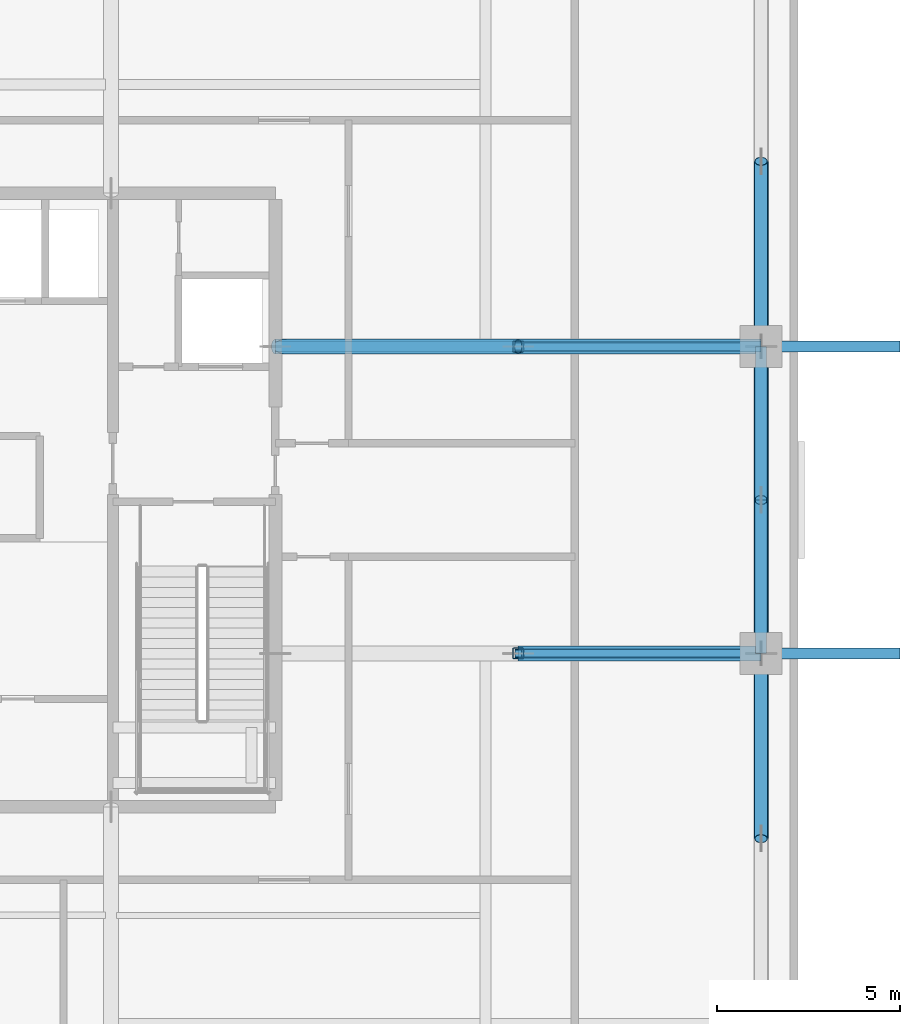
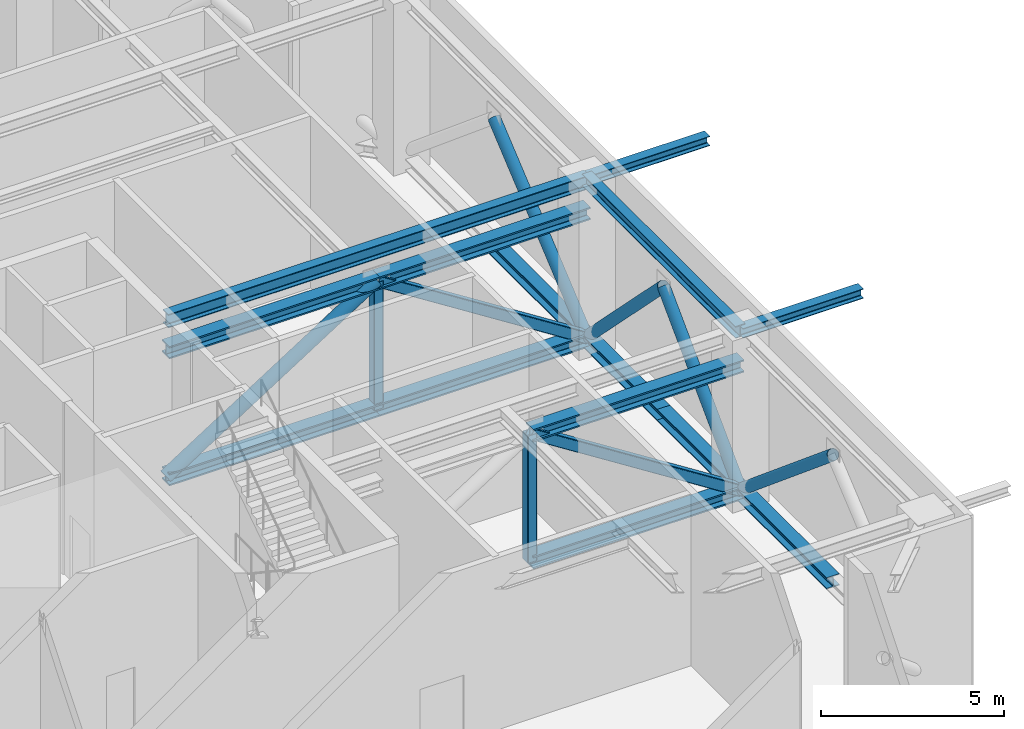
# One storey, part 4 of 22: 19 members, 4 beams.
"""IFC4 building model written with IfcOpenShell, lengths in metres."""

from ifc_helpers import new_model, si_unit, direction, frame, origin, origin_2d, place, context, subcontext, project, spatial, hollow_rectangle, hollow_circle, i_section, extrude, source, transform, mapped, material, material_profile, profile_set, type_object, element, save


model = new_model("IFC4")

# Units and contexts
model_context = context("Model", 3, precision=1e-05, world=origin(), true_north=direction((0.0, 1.0)))
body_context = subcontext(model_context, "Body", "Model", "MODEL_VIEW")
ifc_project = project(units=[si_unit("LENGTHUNIT", "METRE"), si_unit("AREAUNIT", "SQUARE_METRE"), si_unit("VOLUMEUNIT", "CUBIC_METRE"), si_unit("PLANEANGLEUNIT", "RADIAN"), si_unit("MASSUNIT", "GRAM", prefix="KILO")], contexts=[model_context])

# Site, building, storey
site_placement = place(None, origin())
site = spatial("IfcSite", under=ifc_project, at=site_placement, CompositionType="ELEMENT")
building_placement = place(site_placement, origin())
building = spatial("IfcBuilding", under=site, at=building_placement, Name="Serunith Strait Residences", CompositionType="ELEMENT")
storey_placement = place(building_placement, frame((0.0, 0.0, 287.449951171875)))
storey = spatial("IfcBuildingStorey", under=building, at=storey_placement, Name="L72", CompositionType="ELEMENT", Elevation=287.449951171875)

# Beams
ifc_material_1 = material(Name="Steel S355J2", Category="steel")
ifc_material_profile_1 = material_profile(ifc_material_1, i_section(OverallWidth=0.300048828125, OverallDepth=0.39990234375, WebThickness=0.013427734375, FlangeThickness=0.02392578125, FilletRadius=0.027099609375, at=origin_2d()), Name="HEB 400")
ifc_profile_set_1 = profile_set([ifc_material_profile_1], Name="Steel S355J2")
beam_type_1 = type_object("IfcBeamType", Name="BM-HEB400", PredefinedType="BEAM", material=ifc_profile_set_1)
shared_shape_1 = source(origin(), body_context, "Body", "SweptSolid", [
    extrude(i_section(OverallWidth=0.300048828125, OverallDepth=0.39990234375, WebThickness=0.013427734375, FlangeThickness=0.02392578125, FilletRadius=0.027099609375, at=origin_2d()), origin(), (0.0, 0.0, 1.0), 8.39990234375),
])
beam_1_placement = place(storey_placement, frame((54.699951171875, 21.0, 5.537109375), z_axis=(0.0, 1.0, 0.0), x_axis=(-1.0, 0.0, 0.0)))
element("IfcBeam", 1, at=beam_1_placement, inside=storey, type_object=beam_type_1, Name="L72 Perimeter Ring Beam 06", PredefinedType="BEAM", context=body_context, shape_type="MappedRepresentation", body=[
    mapped(shared_shape_1, transform((0.0, 0.0, 0.0), scale=1.0)),
])
ifc_material_profile_2 = material_profile(ifc_material_1, i_section(OverallWidth=0.300048828125, OverallDepth=0.320068359375, WebThickness=0.011474609375, FlangeThickness=0.0205078125, FilletRadius=0.027099609375, at=origin_2d()), Name="HEB 320")
ifc_profile_set_2 = profile_set([ifc_material_profile_2], Name="Steel S355J2")
beam_type_2 = type_object("IfcBeamType", Name="BM-HEB320", PredefinedType="BEAM", material=ifc_profile_set_2)
shared_shape_2 = source(origin(), body_context, "Body", "SweptSolid", [
    extrude(i_section(OverallWidth=0.300048828125, OverallDepth=0.320068359375, WebThickness=0.011474609375, FlangeThickness=0.0205078125, FilletRadius=0.027099609375, at=origin_2d()), origin(), (0.0, 0.0, 1.0), 3.800048828125),
])
for number, where, z_axis, x_axis, name in (
    (2, (54.699951171875, 21.0, 5.547119140625), (1.0, 0.0, 0.0), (0.0, 1.0, 0.0), "L73 Cantilevered Balcony Rib TC-E2"),
    (3, (54.699951171875, 29.39990234375, 5.547119140625), (1.0, 0.0, 0.0), (0.0, 1.0, 0.0), "L73 Cantilevered Balcony Rib TC-E3"),
):
    element("IfcBeam", number, at=place(storey_placement, frame(where, z_axis=z_axis, x_axis=x_axis)), inside=storey, type_object=beam_type_2, Name=name, PredefinedType="BEAM", context=body_context, shape_type="MappedRepresentation", body=[
        mapped(shared_shape_2, transform((0.0, 0.0, 0.0), scale=1.0)),
    ])
ifc_material_profile_3 = material_profile(ifc_material_1, i_section(OverallWidth=0.300048828125, OverallDepth=0.449951171875, WebThickness=0.013916015625, FlangeThickness=0.02587890625, FilletRadius=0.027099609375, at=origin_2d()), Name="HEB 450")
ifc_profile_set_3 = profile_set([ifc_material_profile_3], Name="Steel S355J2")
beam_type_3 = type_object("IfcBeamType", Name="BM-HEB450", PredefinedType="BEAM", material=ifc_profile_set_3)
shared_shape_3 = source(origin(), body_context, "Body", "SweptSolid", [
    extrude(i_section(OverallWidth=0.300048828125, OverallDepth=0.449951171875, WebThickness=0.013916015625, FlangeThickness=0.02587890625, FilletRadius=0.027099609375, at=origin_2d()), origin(), (0.0, 0.0, 1.0), 13.300048828125),
])
beam_2_placement = place(storey_placement, frame((41.39990234375, 29.39990234375, 5.511962890625), z_axis=(1.0, 0.0, 0.0), x_axis=(0.0, 1.0, 0.0)))
element("IfcBeam", 4, at=beam_2_placement, inside=storey, type_object=beam_type_3, Name="L72 Primary Floor Girder TC-E3", PredefinedType="BEAM", context=body_context, shape_type="MappedRepresentation", body=[
    mapped(shared_shape_3, transform((0.0, 0.0, 0.0), scale=1.0)),
])

# Members
ifc_material_2 = material(Name="Steel S460M", Category="steel")
ifc_material_profile_4 = material_profile(ifc_material_2, hollow_rectangle(XDim=0.300048828125, YDim=0.300048828125, WallThickness=0.012451171875, InnerFilletRadius=0.018798828125, OuterFilletRadius=0.03125, at=origin_2d()), Name="SHS 300x300x12.5")
ifc_profile_set_4 = profile_set([ifc_material_profile_4], Name="Steel S460M")
member_type_1 = type_object("IfcMemberType", Name="MBR-STRUT-SHS300", PredefinedType="STRUT", material=ifc_profile_set_4)
shared_shape_4 = source(origin(), body_context, "Body", "SweptSolid", [
    extrude(hollow_rectangle(XDim=0.300048828125, YDim=0.300048828125, WallThickness=0.012451171875, InnerFilletRadius=0.018798828125, OuterFilletRadius=0.03125, at=origin_2d()), origin(), (0.0, 0.0, 1.0), 4.239990234375),
])
for number, where, z_axis, x_axis, name in (
    (5, (48.050048828125, 21.0, 0.25), (0.0, 0.0, 1.0), (1.0, 0.0, 0.0), "L72 Outrigger Arm 5 Mid Post"),
    (6, (48.050048828125, 29.39990234375, 0.25), (0.0, 0.0, 1.0), (1.0, 0.0, 0.0), "L72 Outrigger Arm 6 Mid Post"),
):
    element("IfcMember", number, at=place(storey_placement, frame(where, z_axis=z_axis, x_axis=x_axis)), inside=storey, type_object=member_type_1, Name=name, PredefinedType="STRUT", context=body_context, shape_type="MappedRepresentation", body=[
        mapped(shared_shape_4, transform((0.0, 0.0, 0.0), scale=1.0)),
    ])
ifc_material_profile_5 = material_profile(ifc_material_2, i_section(OverallWidth=0.406005859375, OverallDepth=0.416015625, WebThickness=0.02978515625, FlangeThickness=0.048095703125, FilletRadius=0.014892578125, at=origin_2d()), Name="HD 400x382")
ifc_profile_set_5 = profile_set([ifc_material_profile_5], Name="Steel S460M")
member_type_2 = type_object("IfcMemberType", Name="MBR-CHORD-HD382", PredefinedType="CHORD", material=ifc_profile_set_5)
shared_shape_5 = source(origin(), body_context, "Body", "SweptSolid", [
    extrude(i_section(OverallWidth=0.406005859375, OverallDepth=0.416015625, WebThickness=0.02978515625, FlangeThickness=0.048095703125, FilletRadius=0.014892578125, at=origin_2d()), origin(), (0.0, 0.0, 1.0), 6.650146484375),
])
for number, where, z_axis, x_axis, name in (
    (7, (41.39990234375, 29.39990234375, 0.25), (1.0, 0.0, 0.0), (0.0, 1.0, 0.0), "L72 Outrigger Arm 6 Bottom Chord 1"),
    (8, (41.39990234375, 29.39990234375, 4.489990234375), (1.0, 0.0, 0.0), (0.0, 1.0, 0.0), "L72 Outrigger Arm 6 Top Chord 1"),
):
    element("IfcMember", number, at=place(storey_placement, frame(where, z_axis=z_axis, x_axis=x_axis)), inside=storey, type_object=member_type_2, Name=name, PredefinedType="CHORD", context=body_context, shape_type="MappedRepresentation", body=[
        mapped(shared_shape_5, transform((0.0, 0.0, 0.0), scale=1.0)),
    ])
shared_shape_6 = source(origin(), body_context, "Body", "SweptSolid", [
    extrude(i_section(OverallWidth=0.406005859375, OverallDepth=0.416015625, WebThickness=0.02978515625, FlangeThickness=0.048095703125, FilletRadius=0.014892578125, at=origin_2d()), origin(), (0.0, 0.0, 1.0), 6.64990234375),
])
for number, where, z_axis, x_axis, name in (
    (9, (48.050048828125, 21.0, 0.25), (1.0, 0.0, 0.0), (0.0, 1.0, 0.0), "L72 Outrigger Arm 5 Bottom Chord 2"),
    (10, (48.050048828125, 21.0, 4.489990234375), (1.0, 0.0, 0.0), (0.0, 1.0, 0.0), "L72 Outrigger Arm 5 Top Chord 2"),
    (11, (48.050048828125, 29.39990234375, 0.25), (1.0, 0.0, 0.0), (0.0, 1.0, 0.0), "L72 Outrigger Arm 6 Bottom Chord 2"),
    (12, (48.050048828125, 29.39990234375, 4.489990234375), (1.0, 0.0, 0.0), (0.0, 1.0, 0.0), "L72 Outrigger Arm 6 Top Chord 2"),
):
    element("IfcMember", number, at=place(storey_placement, frame(where, z_axis=z_axis, x_axis=x_axis)), inside=storey, type_object=member_type_2, Name=name, PredefinedType="CHORD", context=body_context, shape_type="MappedRepresentation", body=[
        mapped(shared_shape_6, transform((0.0, 0.0, 0.0), scale=1.0)),
    ])
ifc_material_profile_6 = material_profile(ifc_material_2, hollow_circle(Radius=0.203125, WallThickness=0.01611328125, at=origin_2d()), Name="CHS 406.4x16")
ifc_profile_set_6 = profile_set([ifc_material_profile_6], Name="Steel S460M")
member_type_3 = type_object("IfcMemberType", Name="MBR-DIAG-CHS406", PredefinedType="BRACE", material=ifc_profile_set_6)
shared_shape_7 = source(origin(), body_context, "Body", "SweptSolid", [
    extrude(hollow_circle(Radius=0.203125, WallThickness=0.01611328125, at=origin_2d()), origin(), (0.0, 0.0, 1.0), 7.88671875),
])
member_1_placement = place(storey_placement, frame((41.39990234375, 29.39990234375, 0.25), z_axis=(0.843197204186, 0.0, 0.537604385076), x_axis=(0.0, 1.0, 0.0)))
element("IfcMember", 13, at=member_1_placement, inside=storey, type_object=member_type_3, Name="L72 Outrigger Arm 6 Inner Diagonal", PredefinedType="BRACE", context=body_context, shape_type="MappedRepresentation", body=[
    mapped(shared_shape_7, transform((0.0, 0.0, 0.0), scale=1.0)),
])
ifc_material_profile_7 = material_profile(ifc_material_2, hollow_rectangle(XDim=0.25, YDim=0.35009765625, WallThickness=0.01611328125, InnerFilletRadius=0.02392578125, OuterFilletRadius=0.0400390625, at=origin_2d()), Name="RHS 350x250x16")
ifc_profile_set_7 = profile_set([ifc_material_profile_7], Name="Steel S460M")
member_type_4 = type_object("IfcMemberType", Name="MBR-BRACE-RHS350", PredefinedType="BRACE", material=ifc_profile_set_7)
shared_shape_8 = source(origin(), body_context, "Body", "SweptSolid", [
    extrude(hollow_rectangle(XDim=0.25, YDim=0.35009765625, WallThickness=0.01611328125, InnerFilletRadius=0.02392578125, OuterFilletRadius=0.0400390625, at=origin_2d()), origin(), (0.0, 0.0, 1.0), 7.88671875),
])
for number, where, z_axis, x_axis, name in (
    (14, (48.050048828125, 21.0, 4.489990234375), (0.84318825712, 0.0, -0.537618417704), (0.0, 1.0, 0.0), "L72 Outrigger Arm 5 Outer Diagonal"),
    (15, (48.050048828125, 29.39990234375, 4.489990234375), (0.84318825712, 0.0, -0.537618417704), (0.0, 1.0, 0.0), "L72 Outrigger Arm 6 Outer Diagonal"),
):
    element("IfcMember", number, at=place(storey_placement, frame(where, z_axis=z_axis, x_axis=x_axis)), inside=storey, type_object=member_type_4, Name=name, PredefinedType="BRACE", context=body_context, shape_type="MappedRepresentation", body=[
        mapped(shared_shape_8, transform((0.0, 0.0, 0.0), scale=1.0)),
    ])
ifc_material_profile_8 = material_profile(ifc_material_2, i_section(OverallWidth=0.39794921875, OverallDepth=0.386962890625, WebThickness=0.02099609375, FlangeThickness=0.033203125, FilletRadius=0.014892578125, at=origin_2d()), Name="HD 400x262")
ifc_profile_set_8 = profile_set([ifc_material_profile_8], Name="Steel S460M")
member_type_5 = type_object("IfcMemberType", Name="MBR-CHORD-HD262", PredefinedType="CHORD", material=ifc_profile_set_8)
shared_shape_9 = source(origin(), body_context, "Body", "SweptSolid", [
    extrude(i_section(OverallWidth=0.39794921875, OverallDepth=0.386962890625, WebThickness=0.02099609375, FlangeThickness=0.033203125, FilletRadius=0.014892578125, at=origin_2d()), origin(), (0.0, 0.0, 1.0), 5.074951171875),
])
member_2_placement = place(storey_placement, frame((54.699951171875, 15.925048828125, 0.25), z_axis=(0.0, 1.0, 0.0), x_axis=(-1.0, 0.0, 0.0)))
element("IfcMember", 16, at=member_2_placement, inside=storey, type_object=member_type_5, Name="L72 Belt Truss Bay 05 Chord B", PredefinedType="CHORD", context=body_context, shape_type="MappedRepresentation", body=[
    mapped(shared_shape_9, transform((0.0, 0.0, 0.0), scale=1.0)),
])
ifc_material_profile_9 = material_profile(ifc_material_1, hollow_circle(Radius=0.177734375, WallThickness=0.012451171875, at=origin_2d()), Name="CHS 355.6x12.5")
ifc_profile_set_9 = profile_set([ifc_material_profile_9], Name="Steel S355J2")
member_type_6 = type_object("IfcMemberType", Name="MBR-DIAG-CHS355", PredefinedType="BRACE", material=ifc_profile_set_9)
shared_shape_10 = source(origin(), body_context, "Body", "SweptSolid", [
    extrude(hollow_circle(Radius=0.177734375, WallThickness=0.012451171875, at=origin_2d()), origin(), (0.0, 0.0, 1.0), 6.613037109375),
])
member_3_placement = place(storey_placement, frame((54.699951171875, 21.0, 0.25), z_axis=(0.0, -0.767412710118, 0.641153439006), x_axis=(1.0, 0.0, 0.0)))
element("IfcMember", 17, at=member_3_placement, inside=storey, type_object=member_type_6, Name="L72 Belt Truss Bay 05 Diagonal 2", PredefinedType="BRACE", context=body_context, shape_type="MappedRepresentation", body=[
    mapped(shared_shape_10, transform((0.0, 0.0, 0.0), scale=1.0)),
])
shared_shape_11 = source(origin(), body_context, "Body", "SweptSolid", [
    extrude(i_section(OverallWidth=0.39794921875, OverallDepth=0.386962890625, WebThickness=0.02099609375, FlangeThickness=0.033203125, FilletRadius=0.014892578125, at=origin_2d()), origin(), (0.0, 0.0, 1.0), 4.199951171875),
])
for number, where, z_axis, x_axis, name in (
    (18, (54.699951171875, 21.0, 0.25), (0.0, 1.0, 0.0), (-1.0, 0.0, 0.0), "L72 Belt Truss Bay 06 Chord A"),
    (19, (54.699951171875, 25.199951171875, 0.25), (0.0, 1.0, 0.0), (-1.0, 0.0, 0.0), "L72 Belt Truss Bay 06 Chord B"),
):
    element("IfcMember", number, at=place(storey_placement, frame(where, z_axis=z_axis, x_axis=x_axis)), inside=storey, type_object=member_type_5, Name=name, PredefinedType="CHORD", context=body_context, shape_type="MappedRepresentation", body=[
        mapped(shared_shape_11, transform((0.0, 0.0, 0.0), scale=1.0)),
    ])
shared_shape_12 = source(origin(), body_context, "Body", "SweptSolid", [
    extrude(hollow_circle(Radius=0.177734375, WallThickness=0.012451171875, at=origin_2d()), origin(), (0.0, 0.0, 1.0), 5.968017578125),
])
for number, where, z_axis, x_axis, name in (
    (20, (54.699951171875, 21.0, 0.25), (0.0, 0.703744349233, 0.710453299607), (-1.0, 0.0, 0.0), "L72 Belt Truss Bay 06 Diagonal 1"),
    (21, (54.699951171875, 29.39990234375, 0.25), (0.0, -0.703744349233, 0.710453299607), (1.0, 0.0, 0.0), "L72 Belt Truss Bay 06 Diagonal 2"),
):
    element("IfcMember", number, at=place(storey_placement, frame(where, z_axis=z_axis, x_axis=x_axis)), inside=storey, type_object=member_type_6, Name=name, PredefinedType="BRACE", context=body_context, shape_type="MappedRepresentation", body=[
        mapped(shared_shape_12, transform((0.0, 0.0, 0.0), scale=1.0)),
    ])
shared_shape_13 = source(origin(), body_context, "Body", "SweptSolid", [
    extrude(i_section(OverallWidth=0.39794921875, OverallDepth=0.386962890625, WebThickness=0.02099609375, FlangeThickness=0.033203125, FilletRadius=0.014892578125, at=origin_2d()), origin(), (0.0, 0.0, 1.0), 5.0751953125),
])
member_4_placement = place(storey_placement, frame((54.699951171875, 29.39990234375, 0.25), z_axis=(0.0, 1.0, 0.0), x_axis=(-1.0, 0.0, 0.0)))
element("IfcMember", 22, at=member_4_placement, inside=storey, type_object=member_type_5, Name="L72 Belt Truss Bay 07 Chord A", PredefinedType="CHORD", context=body_context, shape_type="MappedRepresentation", body=[
    mapped(shared_shape_13, transform((0.0, 0.0, 0.0), scale=1.0)),
])
shared_shape_14 = source(origin(), body_context, "Body", "SweptSolid", [
    extrude(hollow_circle(Radius=0.177734375, WallThickness=0.012451171875, at=origin_2d()), origin(), (0.0, 0.0, 1.0), 6.61328125),
])
member_5_placement = place(storey_placement, frame((54.699951171875, 29.39990234375, 0.25), z_axis=(0.0, 0.767427885606, 0.641135274645), x_axis=(-1.0, 0.0, 0.0)))
element("IfcMember", 23, at=member_5_placement, inside=storey, type_object=member_type_6, Name="L72 Belt Truss Bay 07 Diagonal 1", PredefinedType="BRACE", context=body_context, shape_type="MappedRepresentation", body=[
    mapped(shared_shape_14, transform((0.0, 0.0, 0.0), scale=1.0)),
])

save(model, "model.ifc")
